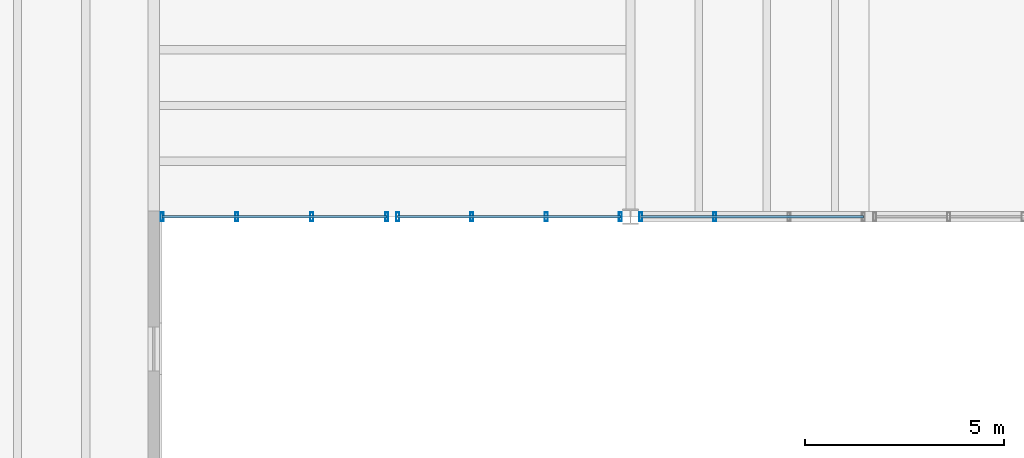
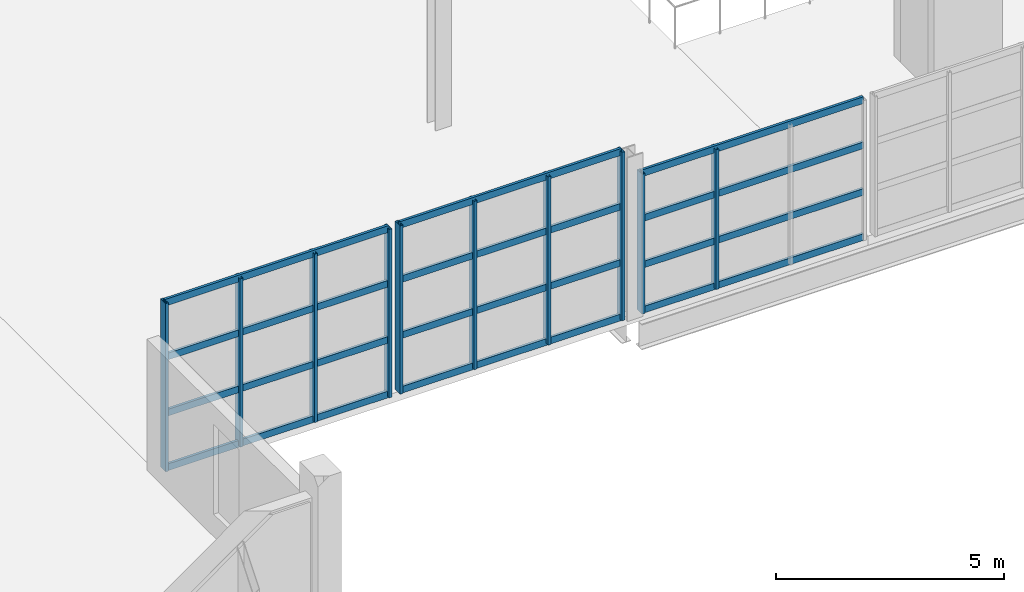
# One storey, part 10 of 78: 22 members, 3 elements without a shape of their own.
"""IFC4 building model written with IfcOpenShell, lengths in metres."""

from ifc_helpers import new_model, si_unit, direction, frame, origin, origin_2d, place, context, subcontext, project, spatial, hollow_rectangle, extrude, material, material_profile, profile_set, type_object, element, aggregate, save


model = new_model("IFC4")

# Units and contexts
model_context = context("Model", 3, precision=1e-05, world=origin(), true_north=direction((0.0, 1.0)))
body_context = subcontext(model_context, "Body", "Model", "MODEL_VIEW")
ifc_project = project(units=[si_unit("LENGTHUNIT", "METRE"), si_unit("AREAUNIT", "SQUARE_METRE"), si_unit("VOLUMEUNIT", "CUBIC_METRE"), si_unit("PLANEANGLEUNIT", "RADIAN"), si_unit("MASSUNIT", "GRAM", prefix="KILO")], contexts=[model_context])

# Site, building, storey
site_placement = place(None, origin())
site = spatial("IfcSite", under=ifc_project, at=site_placement, CompositionType="ELEMENT")
building_placement = place(site_placement, origin())
building = spatial("IfcBuilding", under=site, at=building_placement, Name="Kelmvaro Bay Concert Hall", CompositionType="ELEMENT")
storey_placement = place(building_placement, frame((0.0, 0.0, 9.300048828125)))
storey = spatial("IfcBuildingStorey", under=building, at=storey_placement, Name="L02", CompositionType="ELEMENT", Elevation=9.300048828125)

# Curtain wall, members
ifc_material_1 = material(Name="Anodised Aluminium and Low-E Insulated Glazing", Category="aluminium")
curtain_wall_type = type_object("IfcCurtainWallType", Name="Upper Salon Waterfront Curtain Wall 4050", PredefinedType="USERDEFINED", material=ifc_material_1)
curtain_wall_1_placement = place(storey_placement, origin())
curtain_wall_1 = element("IfcCurtainWall", 1, at=curtain_wall_1_placement, inside=storey, type_object=curtain_wall_type, Name="Unitised Curtain Wall CW-L02-076", ObjectType="UNITISED GLAZING", PredefinedType="USERDEFINED")
ifc_material_2 = material(Name="Anodised Extruded Aluminium 6063-T6", Category="aluminium")
ifc_material_profile_1 = material_profile(ifc_material_2, hollow_rectangle(XDim=0.074951171875, YDim=0.219970703125, WallThickness=0.00439453125, at=origin_2d()), Name="ALU-MUL-220X75")
ifc_profile_set_1 = profile_set([ifc_material_profile_1], Name="Anodised Extruded Aluminium 6063-T6")
member_type_1 = type_object("IfcMemberType", Name="Curtain Mullion Heavy ALU 220x75", PredefinedType="MULLION", material=ifc_profile_set_1)
member_1_placement = place(storey_placement, frame((53.860107421875, 7.199951171875, 0.0), z_axis=(0.0, 0.0, 1.0), x_axis=(1.0, 0.0, 0.0)))
member_1 = element("IfcMember", 2, at=member_1_placement, type_object=member_type_1, Name="CW-L02-076 Mullion 01", PredefinedType="MULLION", context=body_context, shape_type="SweptSolid", body=[
    extrude(hollow_rectangle(XDim=0.074951171875, YDim=0.219970703125, WallThickness=0.00439453125, at=origin_2d()), origin(), (0.0, 0.0, 1.0), 4.5),
])
member_2_placement = place(storey_placement, frame((51.976806640625, 7.199951171875, 0.0), z_axis=(0.0, 0.0, 1.0), x_axis=(1.0, 0.0, 0.0)))
member_2 = element("IfcMember", 3, at=member_2_placement, type_object=member_type_1, Name="CW-L02-076 Mullion 02", PredefinedType="MULLION", context=body_context, shape_type="SweptSolid", body=[
    extrude(hollow_rectangle(XDim=0.074951171875, YDim=0.219970703125, WallThickness=0.00439453125, at=origin_2d()), origin(), (0.0, 0.0, 1.0), 4.5),
])
member_3_placement = place(storey_placement, frame((50.09326171875, 7.199951171875, 0.0), z_axis=(0.0, 0.0, 1.0), x_axis=(1.0, 0.0, 0.0)))
member_3 = element("IfcMember", 4, at=member_3_placement, type_object=member_type_1, Name="CW-L02-076 Mullion 03", PredefinedType="MULLION", context=body_context, shape_type="SweptSolid", body=[
    extrude(hollow_rectangle(XDim=0.074951171875, YDim=0.219970703125, WallThickness=0.00439453125, at=origin_2d()), origin(), (0.0, 0.0, 1.0), 4.5),
])
member_4_placement = place(storey_placement, frame((48.2099609375, 7.199951171875, 0.0), z_axis=(0.0, 0.0, 1.0), x_axis=(1.0, 0.0, 0.0)))
member_4 = element("IfcMember", 5, at=member_4_placement, type_object=member_type_1, Name="CW-L02-076 Mullion 04", PredefinedType="MULLION", context=body_context, shape_type="SweptSolid", body=[
    extrude(hollow_rectangle(XDim=0.074951171875, YDim=0.219970703125, WallThickness=0.00439453125, at=origin_2d()), origin(), (0.0, 0.0, 1.0), 4.5),
])

curtain_wall_2_placement = place(storey_placement, origin())
curtain_wall_2 = element("IfcCurtainWall", 6, at=curtain_wall_2_placement, inside=storey, type_object=curtain_wall_type, Name="Unitised Curtain Wall CW-L02-077", ObjectType="UNITISED GLAZING", PredefinedType="USERDEFINED")
member_5_placement = place(storey_placement, frame((59.74560546875, 7.199951171875, 0.0), z_axis=(0.0, 0.0, 1.0), x_axis=(1.0, 0.0, 0.0)))
member_5 = element("IfcMember", 7, at=member_5_placement, type_object=member_type_1, Name="CW-L02-077 Mullion 01", PredefinedType="MULLION", context=body_context, shape_type="SweptSolid", body=[
    extrude(hollow_rectangle(XDim=0.074951171875, YDim=0.219970703125, WallThickness=0.00439453125, at=origin_2d()), origin(), (0.0, 0.0, 1.0), 4.5),
])
member_6_placement = place(storey_placement, frame((57.876953125, 7.199951171875, 0.0), z_axis=(0.0, 0.0, 1.0), x_axis=(1.0, 0.0, 0.0)))
member_6 = element("IfcMember", 8, at=member_6_placement, type_object=member_type_1, Name="CW-L02-077 Mullion 02", PredefinedType="MULLION", context=body_context, shape_type="SweptSolid", body=[
    extrude(hollow_rectangle(XDim=0.074951171875, YDim=0.219970703125, WallThickness=0.00439453125, at=origin_2d()), origin(), (0.0, 0.0, 1.0), 4.5),
])
member_7_placement = place(storey_placement, frame((56.008544921875, 7.199951171875, 0.0), z_axis=(0.0, 0.0, 1.0), x_axis=(1.0, 0.0, 0.0)))
member_7 = element("IfcMember", 9, at=member_7_placement, type_object=member_type_1, Name="CW-L02-077 Mullion 03", PredefinedType="MULLION", context=body_context, shape_type="SweptSolid", body=[
    extrude(hollow_rectangle(XDim=0.074951171875, YDim=0.219970703125, WallThickness=0.00439453125, at=origin_2d()), origin(), (0.0, 0.0, 1.0), 4.5),
])
member_8_placement = place(storey_placement, frame((54.139892578125, 7.199951171875, 0.0), z_axis=(0.0, 0.0, 1.0), x_axis=(1.0, 0.0, 0.0)))
member_8 = element("IfcMember", 10, at=member_8_placement, type_object=member_type_1, Name="CW-L02-077 Mullion 04", PredefinedType="MULLION", context=body_context, shape_type="SweptSolid", body=[
    extrude(hollow_rectangle(XDim=0.074951171875, YDim=0.219970703125, WallThickness=0.00439453125, at=origin_2d()), origin(), (0.0, 0.0, 1.0), 4.5),
])

curtain_wall_3_placement = place(storey_placement, origin())
curtain_wall_3 = element("IfcCurtainWall", 11, at=curtain_wall_3_placement, inside=storey, type_object=curtain_wall_type, Name="Unitised Curtain Wall CW-L02-078", ObjectType="UNITISED GLAZING", PredefinedType="USERDEFINED")
member_9_placement = place(storey_placement, frame((62.123046875, 7.199951171875, 0.0), z_axis=(0.0, 0.0, 1.0), x_axis=(1.0, 0.0, 0.0)))
member_9 = element("IfcMember", 12, at=member_9_placement, type_object=member_type_1, Name="CW-L02-078 Mullion 03", PredefinedType="MULLION", context=body_context, shape_type="SweptSolid", body=[
    extrude(hollow_rectangle(XDim=0.074951171875, YDim=0.219970703125, WallThickness=0.00439453125, at=origin_2d()), origin(), (0.0, 0.0, 1.0), 3.739013671875),
])
member_10_placement = place(storey_placement, frame((60.25439453125, 7.199951171875, 0.0), z_axis=(0.0, 0.0, 1.0), x_axis=(1.0, 0.0, 0.0)))
member_10 = element("IfcMember", 13, at=member_10_placement, type_object=member_type_1, Name="CW-L02-078 Mullion 04", PredefinedType="MULLION", context=body_context, shape_type="SweptSolid", body=[
    extrude(hollow_rectangle(XDim=0.074951171875, YDim=0.219970703125, WallThickness=0.00439453125, at=origin_2d()), origin(), (0.0, 0.0, 1.0), 3.739013671875),
])

# Member
ifc_material_3 = material(Name="Anodised Extruded Aluminium 6063-T6", Category="aluminium")
ifc_material_profile_2 = material_profile(ifc_material_3, hollow_rectangle(XDim=0.06494140625, YDim=0.179931640625, WallThickness=0.00439453125, at=origin_2d()), Name="ALU-TRN-180X65")
ifc_profile_set_2 = profile_set([ifc_material_profile_2], Name="Anodised Extruded Aluminium 6063-T6")
member_type_2 = type_object("IfcMemberType", Name="Curtain Transom Heavy ALU 180x65", PredefinedType="USERDEFINED", material=ifc_profile_set_2)
member_11_placement = place(storey_placement, frame((53.860107421875, 7.199951171875, 0.0400390625), z_axis=(-1.0, 0.0, 0.0), x_axis=(0.0, -1.0, 0.0)))
member_11 = element("IfcMember", 14, at=member_11_placement, type_object=member_type_2, Name="CW-L02-076 Transom 01", ObjectType="TRANSOM", PredefinedType="USERDEFINED", context=body_context, shape_type="SweptSolid", body=[
    extrude(hollow_rectangle(XDim=0.06494140625, YDim=0.179931640625, WallThickness=0.00439453125, at=origin_2d()), origin(), (0.0, 0.0, 1.0), 5.650146484375),
])

member_12_placement = place(storey_placement, frame((53.860107421875, 7.199951171875, 1.5), z_axis=(-1.0, 0.0, 0.0), x_axis=(0.0, -1.0, 0.0)))
member_12 = element("IfcMember", 15, at=member_12_placement, type_object=member_type_2, Name="CW-L02-076 Transom 02", ObjectType="TRANSOM", PredefinedType="USERDEFINED", context=body_context, shape_type="SweptSolid", body=[
    extrude(hollow_rectangle(XDim=0.06494140625, YDim=0.179931640625, WallThickness=0.00439453125, at=origin_2d()), origin(), (0.0, 0.0, 1.0), 5.650146484375),
])

member_13_placement = place(storey_placement, frame((53.860107421875, 7.199951171875, 3.0), z_axis=(-1.0, 0.0, 0.0), x_axis=(0.0, -1.0, 0.0)))
member_13 = element("IfcMember", 16, at=member_13_placement, type_object=member_type_2, Name="CW-L02-076 Transom 03", ObjectType="TRANSOM", PredefinedType="USERDEFINED", context=body_context, shape_type="SweptSolid", body=[
    extrude(hollow_rectangle(XDim=0.06494140625, YDim=0.179931640625, WallThickness=0.00439453125, at=origin_2d()), origin(), (0.0, 0.0, 1.0), 5.650146484375),
])

member_14_placement = place(storey_placement, frame((53.860107421875, 7.199951171875, 4.4599609375), z_axis=(-1.0, 0.0, 0.0), x_axis=(0.0, -1.0, 0.0)))
member_14 = element("IfcMember", 17, at=member_14_placement, type_object=member_type_2, Name="CW-L02-076 Transom 04", ObjectType="TRANSOM", PredefinedType="USERDEFINED", context=body_context, shape_type="SweptSolid", body=[
    extrude(hollow_rectangle(XDim=0.06494140625, YDim=0.179931640625, WallThickness=0.00439453125, at=origin_2d()), origin(), (0.0, 0.0, 1.0), 5.650146484375),
])

aggregate(curtain_wall_1, [member_1, member_2, member_3, member_4, member_11, member_12, member_13, member_14])

member_15_placement = place(storey_placement, frame((59.74560546875, 7.199951171875, 0.0400390625), z_axis=(-1.0, 0.0, 0.0), x_axis=(0.0, -1.0, 0.0)))
member_15 = element("IfcMember", 18, at=member_15_placement, type_object=member_type_2, Name="CW-L02-077 Transom 01", ObjectType="TRANSOM", PredefinedType="USERDEFINED", context=body_context, shape_type="SweptSolid", body=[
    extrude(hollow_rectangle(XDim=0.06494140625, YDim=0.179931640625, WallThickness=0.00439453125, at=origin_2d()), origin(), (0.0, 0.0, 1.0), 5.605712890625),
])

member_16_placement = place(storey_placement, frame((59.74560546875, 7.199951171875, 1.5), z_axis=(-1.0, 0.0, 0.0), x_axis=(0.0, -1.0, 0.0)))
member_16 = element("IfcMember", 19, at=member_16_placement, type_object=member_type_2, Name="CW-L02-077 Transom 02", ObjectType="TRANSOM", PredefinedType="USERDEFINED", context=body_context, shape_type="SweptSolid", body=[
    extrude(hollow_rectangle(XDim=0.06494140625, YDim=0.179931640625, WallThickness=0.00439453125, at=origin_2d()), origin(), (0.0, 0.0, 1.0), 5.605712890625),
])

member_17_placement = place(storey_placement, frame((59.74560546875, 7.199951171875, 3.0), z_axis=(-1.0, 0.0, 0.0), x_axis=(0.0, -1.0, 0.0)))
member_17 = element("IfcMember", 20, at=member_17_placement, type_object=member_type_2, Name="CW-L02-077 Transom 03", ObjectType="TRANSOM", PredefinedType="USERDEFINED", context=body_context, shape_type="SweptSolid", body=[
    extrude(hollow_rectangle(XDim=0.06494140625, YDim=0.179931640625, WallThickness=0.00439453125, at=origin_2d()), origin(), (0.0, 0.0, 1.0), 5.605712890625),
])

member_18_placement = place(storey_placement, frame((59.74560546875, 7.199951171875, 4.4599609375), z_axis=(-1.0, 0.0, 0.0), x_axis=(0.0, -1.0, 0.0)))
member_18 = element("IfcMember", 21, at=member_18_placement, type_object=member_type_2, Name="CW-L02-077 Transom 04", ObjectType="TRANSOM", PredefinedType="USERDEFINED", context=body_context, shape_type="SweptSolid", body=[
    extrude(hollow_rectangle(XDim=0.06494140625, YDim=0.179931640625, WallThickness=0.00439453125, at=origin_2d()), origin(), (0.0, 0.0, 1.0), 5.605712890625),
])

aggregate(curtain_wall_2, [member_5, member_6, member_7, member_8, member_15, member_16, member_17, member_18])

member_19_placement = place(storey_placement, frame((65.860107421875, 7.199951171875, 0.0400390625), z_axis=(-1.0, 0.0, 0.0), x_axis=(0.0, -1.0, 0.0)))
member_19 = element("IfcMember", 22, at=member_19_placement, type_object=member_type_2, Name="CW-L02-078 Transom 01", ObjectType="TRANSOM", PredefinedType="USERDEFINED", context=body_context, shape_type="SweptSolid", body=[
    extrude(hollow_rectangle(XDim=0.06494140625, YDim=0.179931640625, WallThickness=0.00439453125, at=origin_2d()), origin(), (0.0, 0.0, 1.0), 5.605712890625),
])

member_20_placement = place(storey_placement, frame((65.860107421875, 7.199951171875, 1.246337890625), z_axis=(-1.0, 0.0, 0.0), x_axis=(0.0, -1.0, 0.0)))
member_20 = element("IfcMember", 23, at=member_20_placement, type_object=member_type_2, Name="CW-L02-078 Transom 02", ObjectType="TRANSOM", PredefinedType="USERDEFINED", context=body_context, shape_type="SweptSolid", body=[
    extrude(hollow_rectangle(XDim=0.06494140625, YDim=0.179931640625, WallThickness=0.00439453125, at=origin_2d()), origin(), (0.0, 0.0, 1.0), 5.605712890625),
])

member_21_placement = place(storey_placement, frame((65.860107421875, 7.199951171875, 2.49267578125), z_axis=(-1.0, 0.0, 0.0), x_axis=(0.0, -1.0, 0.0)))
member_21 = element("IfcMember", 24, at=member_21_placement, type_object=member_type_2, Name="CW-L02-078 Transom 03", ObjectType="TRANSOM", PredefinedType="USERDEFINED", context=body_context, shape_type="SweptSolid", body=[
    extrude(hollow_rectangle(XDim=0.06494140625, YDim=0.179931640625, WallThickness=0.00439453125, at=origin_2d()), origin(), (0.0, 0.0, 1.0), 5.605712890625),
])

member_22_placement = place(storey_placement, frame((65.860107421875, 7.199951171875, 3.698974609375), z_axis=(-1.0, 0.0, 0.0), x_axis=(0.0, -1.0, 0.0)))
member_22 = element("IfcMember", 25, at=member_22_placement, type_object=member_type_2, Name="CW-L02-078 Transom 04", ObjectType="TRANSOM", PredefinedType="USERDEFINED", context=body_context, shape_type="SweptSolid", body=[
    extrude(hollow_rectangle(XDim=0.06494140625, YDim=0.179931640625, WallThickness=0.00439453125, at=origin_2d()), origin(), (0.0, 0.0, 1.0), 5.605712890625),
])

aggregate(curtain_wall_3, [member_9, member_10, member_19, member_20, member_21, member_22])

save(model, "model.ifc")
